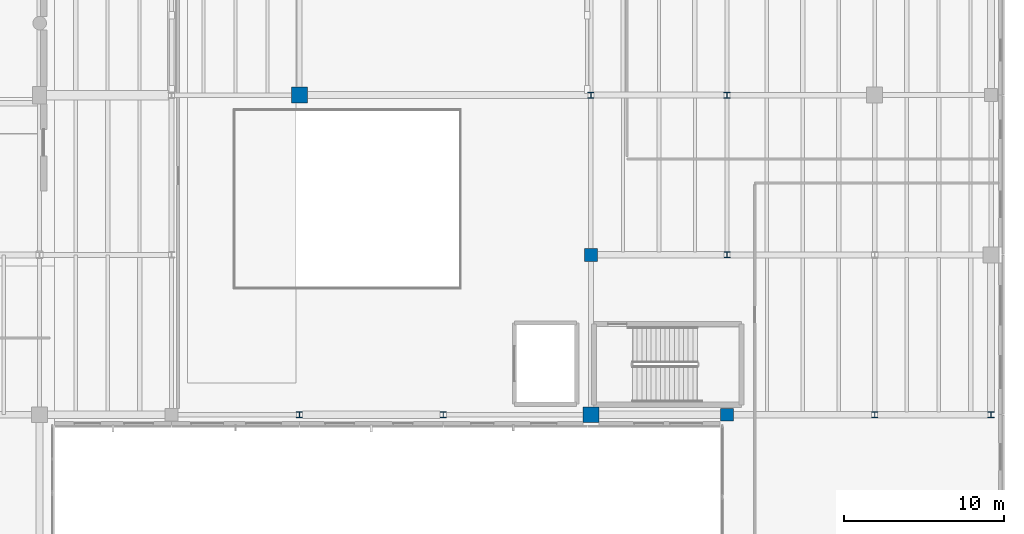
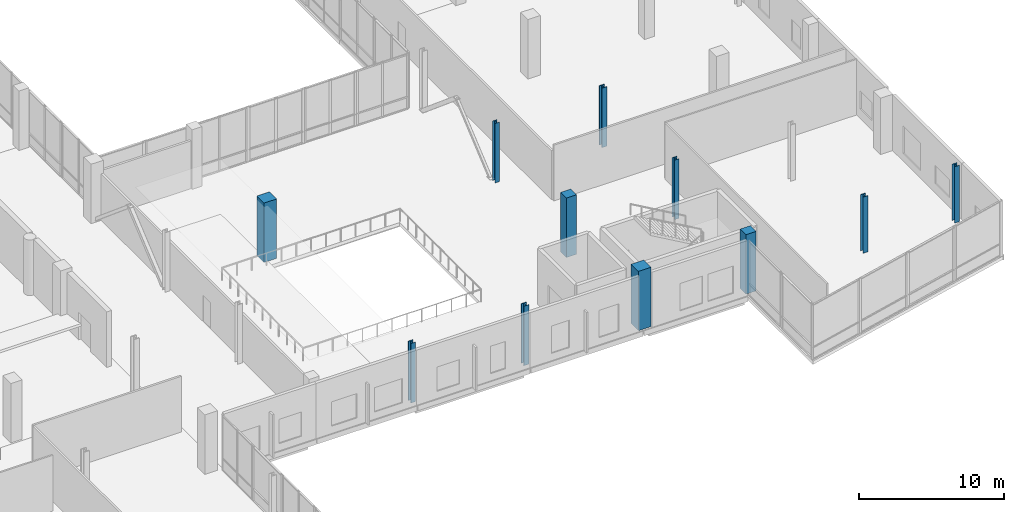
# One storey, part 13 of 81: 11 columns.
"""IFC4 building model written with IfcOpenShell, lengths in metres."""

from ifc_helpers import new_model, si_unit, direction, frame, origin, origin_2d, place, context, subcontext, project, spatial, rectangle, i_section, extrude, material, material_profile, profile_set, type_object, element, save


model = new_model("IFC4")

# Units and contexts
model_context = context("Model", 3, precision=1e-05, world=origin(), true_north=direction((0.0, 1.0)))
body_context = subcontext(model_context, "Body", "Model", "MODEL_VIEW")
ifc_project = project(units=[si_unit("LENGTHUNIT", "METRE"), si_unit("AREAUNIT", "SQUARE_METRE"), si_unit("VOLUMEUNIT", "CUBIC_METRE"), si_unit("PLANEANGLEUNIT", "RADIAN"), si_unit("MASSUNIT", "GRAM", prefix="KILO")], contexts=[model_context])

# Site, building, storey
site_placement = place(None, origin())
site = spatial("IfcSite", under=ifc_project, at=site_placement, CompositionType="ELEMENT")
building_placement = place(site_placement, origin())
building = spatial("IfcBuilding", under=site, at=building_placement, Name="Trimount Lyric Opera House", CompositionType="ELEMENT")
storey_placement = place(building_placement, frame((0.0, 0.0, 5.0)))
storey = spatial("IfcBuildingStorey", under=building, at=storey_placement, Name="L01", CompositionType="ELEMENT", Elevation=5.0)

# Columns
ifc_material_1 = material(Name="Steel ASTM A992 Grade 50", Category="steel")
ifc_material_profile_1 = material_profile(ifc_material_1, i_section(OverallWidth=0.39892578125, OverallDepth=0.385986328125, WebThickness=0.02099609375, FlangeThickness=0.033203125, FilletRadius=0.01611328125, at=origin_2d()), Name="W14X176")
ifc_profile_set_1 = profile_set([ifc_material_profile_1], Name="Steel ASTM A992 Grade 50")
column_type_1 = type_object("IfcColumnType", Name="C-03", PredefinedType="COLUMN", material=ifc_profile_set_1)
for number, where, z_axis, x_axis, name in (
    (1, (139.0, 44.0, 0.0), (0.0, 0.0, 1.0), (1.0, 0.0, 0.0), "L01 column 16/F"),
    (2, (156.760009765625, 64.0, 0.0), (0.0, 0.0, 1.0), (1.0, 0.0, 0.0), "L01 column 18/H"),
):
    element("IfcColumn", number, at=place(storey_placement, frame(where, z_axis=z_axis, x_axis=x_axis)), inside=storey, type_object=column_type_1, Name=name, PredefinedType="COLUMN", context=body_context, shape_type="SweptSolid", body=[
        extrude(i_section(OverallWidth=0.39892578125, OverallDepth=0.385986328125, WebThickness=0.02099609375, FlangeThickness=0.033203125, FilletRadius=0.01611328125, at=origin_2d()), origin(), (0.0, 0.0, 1.0), 5.0),
    ])
column_1_placement = place(storey_placement, frame((173.280029296875, 44.0, 0.0), z_axis=(0.0, 0.0, 1.0), x_axis=(1.0, 0.0, 0.0)))
element("IfcColumn", 3, at=column_1_placement, inside=storey, type_object=column_type_1, Name="L01 column 20/F", PredefinedType="COLUMN", context=body_context, shape_type="SweptSolid", body=[
    extrude(i_section(OverallWidth=0.39892578125, OverallDepth=0.385986328125, WebThickness=0.02099609375, FlangeThickness=0.033203125, FilletRadius=0.01611328125, at=origin_2d()), origin(), (0.0, 0.0, 1.0), 4.72998046875),
])
ifc_material_2 = material(Name="Steel ASTM A992 Grade 50", Category="steel")
ifc_material_profile_2 = material_profile(ifc_material_2, i_section(OverallWidth=0.373046875, OverallDepth=0.367919921875, WebThickness=0.014892578125, FlangeThickness=0.02392578125, FilletRadius=0.014892578125, at=origin_2d()), Name="W14X120")
ifc_profile_set_2 = profile_set([ifc_material_profile_2], Name="Steel ASTM A992 Grade 50")
column_type_2 = type_object("IfcColumnType", Name="C-08", PredefinedType="COLUMN", material=ifc_profile_set_2)
for number, where, z_axis, x_axis, name in (
    (4, (130.0, 44.0, 0.0), (0.0, 0.0, 1.0), (1.0, 0.0, 0.0), "L01 column 15/F"),
    (5, (148.239990234375, 64.0, 0.0), (0.0, 0.0, 1.0), (1.0, 0.0, 0.0), "L01 column 17/H"),
    (6, (156.760009765625, 54.0, 0.0), (0.0, 0.0, 1.0), (1.0, 0.0, 0.0), "L01 column 18/G"),
):
    element("IfcColumn", number, at=place(storey_placement, frame(where, z_axis=z_axis, x_axis=x_axis)), inside=storey, type_object=column_type_2, Name=name, PredefinedType="COLUMN", context=body_context, shape_type="SweptSolid", body=[
        extrude(i_section(OverallWidth=0.373046875, OverallDepth=0.367919921875, WebThickness=0.014892578125, FlangeThickness=0.02392578125, FilletRadius=0.014892578125, at=origin_2d()), origin(), (0.0, 0.0, 1.0), 5.0),
    ])
column_2_placement = place(storey_placement, frame((166.0, 44.0, 0.0), z_axis=(0.0, 0.0, 1.0), x_axis=(1.0, 0.0, 0.0)))
element("IfcColumn", 7, at=column_2_placement, inside=storey, type_object=column_type_2, Name="L01 column 19/F", PredefinedType="COLUMN", context=body_context, shape_type="SweptSolid", body=[
    extrude(i_section(OverallWidth=0.373046875, OverallDepth=0.367919921875, WebThickness=0.014892578125, FlangeThickness=0.02392578125, FilletRadius=0.014892578125, at=origin_2d()), origin(), (0.0, 0.0, 1.0), 4.72998046875),
])
ifc_material_3 = material(Name="Concrete C50/60", Category="concrete")
ifc_material_profile_3 = material_profile(ifc_material_3, rectangle(XDim=1.0, YDim=1.0, at=origin_2d()), Name="RC1000X1000")
ifc_profile_set_3 = profile_set([ifc_material_profile_3], Name="Concrete C50/60")
column_type_3 = type_object("IfcColumnType", Name="C-12", PredefinedType="COLUMN", material=ifc_profile_set_3)
for number, where, z_axis, x_axis, name in (
    (8, (130.0, 64.0, 0.0), (0.0, 0.0, 1.0), (1.0, 0.0, 0.0), "L01 column 15/H"),
    (9, (148.239990234375, 44.0, 0.0), (0.0, 0.0, 1.0), (1.0, 0.0, 0.0), "L01 column 17/F"),
):
    element("IfcColumn", number, at=place(storey_placement, frame(where, z_axis=z_axis, x_axis=x_axis)), inside=storey, type_object=column_type_3, Name=name, PredefinedType="COLUMN", context=body_context, shape_type="SweptSolid", body=[
        extrude(rectangle(XDim=1.0, YDim=1.0, at=origin_2d()), origin(), (0.0, 0.0, 1.0), 5.0),
    ])
ifc_material_4 = material(Name="Concrete C40/50", Category="concrete")
ifc_material_profile_4 = material_profile(ifc_material_4, rectangle(XDim=0.800048828125, YDim=0.800048828125, at=origin_2d()), Name="RC800X800")
ifc_profile_set_4 = profile_set([ifc_material_profile_4], Name="Concrete C40/50")
column_type_4 = type_object("IfcColumnType", Name="C-14", PredefinedType="COLUMN", material=ifc_profile_set_4)
for number, where, z_axis, x_axis, name in (
    (10, (148.239990234375, 54.0, 0.0), (0.0, 0.0, 1.0), (1.0, 0.0, 0.0), "L01 column 17/G"),
    (11, (156.760009765625, 44.0, 0.0), (0.0, 0.0, 1.0), (1.0, 0.0, 0.0), "L01 column 18/F"),
):
    element("IfcColumn", number, at=place(storey_placement, frame(where, z_axis=z_axis, x_axis=x_axis)), inside=storey, type_object=column_type_4, Name=name, PredefinedType="COLUMN", context=body_context, shape_type="SweptSolid", body=[
        extrude(rectangle(XDim=0.800048828125, YDim=0.800048828125, at=origin_2d()), origin(), (0.0, 0.0, 1.0), 5.0),
    ])

save(model, "model.ifc")
